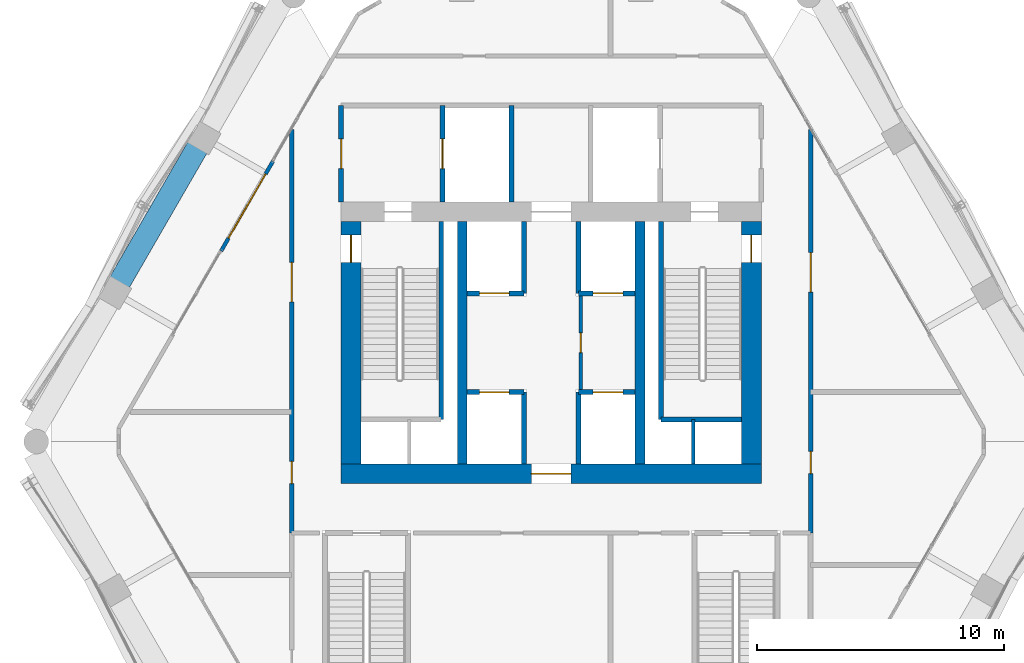
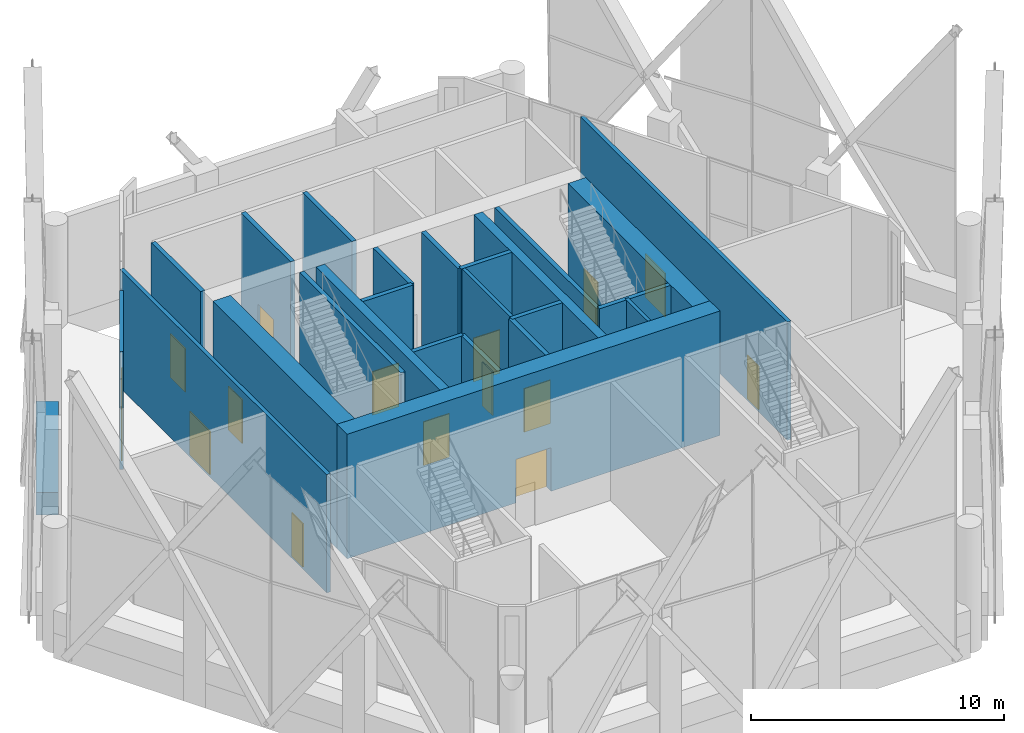
# One storey, part 36 of 43: 25 walls, 15 doors, 15 openings.
"""IFC4 building model written with IfcOpenShell, lengths in metres."""

from ifc_helpers import new_model, si_unit, direction, frame, frame_2d, origin, place, context, subcontext, project, spatial, rectangle, extrude, material, layer, layer_set, type_object, element, fill, save


model = new_model("IFC4")

# Units and contexts
model_context = context("Model", 3, precision=1e-05, world=origin(), true_north=direction((0.0, 1.0)))
body_context = subcontext(model_context, "Body", "Model", "MODEL_VIEW")
ifc_project = project(units=[si_unit("LENGTHUNIT", "METRE"), si_unit("AREAUNIT", "SQUARE_METRE"), si_unit("VOLUMEUNIT", "CUBIC_METRE"), si_unit("PLANEANGLEUNIT", "RADIAN"), si_unit("MASSUNIT", "GRAM", prefix="KILO")], contexts=[model_context])

# Site, building, storey
site_placement = place(None, origin())
site = spatial("IfcSite", under=ifc_project, at=site_placement, CompositionType="ELEMENT")
building_placement = place(site_placement, origin())
building = spatial("IfcBuilding", under=site, at=building_placement, Name="Ostrander Bayou Hotel Tower", CompositionType="ELEMENT")
storey_placement = place(building_placement, frame((0.0, 0.0, 151.0)))
storey = spatial("IfcBuildingStorey", under=building, at=storey_placement, Name="L37", CompositionType="ELEMENT", Elevation=151.0)

# Wall, opening, door
ifc_material_1 = material(Name="Concrete f'c 60 MPa", Category="concrete")
ifc_layer_1 = layer(ifc_material_1, 0.800048828125)
ifc_layer_set_1 = layer_set([ifc_layer_1], Name="CW7 core wall 800 mm f'c 60 MPa")
wall_type_1 = type_object("IfcWallType", Name="CW7 core wall 800 mm f'c 60 MPa", PredefinedType="SHEAR", material=ifc_layer_set_1)
wall_1_placement = place(storey_placement, frame((-8.5, -1.300048828125, -0.300048828125), z_axis=(0.0, 0.0, 1.0), x_axis=(1.0, 0.0, 0.0)))
wall_1 = element("IfcWall", 1, at=wall_1_placement, inside=storey, type_object=wall_type_1, Name="CW7 L37 S", PredefinedType="SHEAR", context=body_context, shape_type="SweptSolid", body=[
    extrude(rectangle(XDim=17.0, YDim=0.800048828125, at=frame_2d((8.5, 0.0))), origin(), (0.0, 0.0, 1.0), 6.0),
])
opening_1_placement = place(wall_1_placement, frame((7.699951171875, 0.0, 0.0)))
opening_1 = element("IfcOpeningElement", 2, at=opening_1_placement, cuts=wall_1, Name="Opening T37-005", PredefinedType="OPENING", context=body_context, shape_type="SweptSolid", body=[
    extrude(rectangle(XDim=1.60009765625, YDim=2.10009765625, at=frame_2d((0.800048828125, 1.050048828125))), frame((0.0, 0.39990234375, 0.0), z_axis=(0.0, -1.0, 0.0), x_axis=(1.0, 0.0, 0.0)), (0.0, 0.0, 1.0), 0.800048828125),
])
ifc_material_2 = material(Name="Timber door leaf", Category="wood")
door_type_1 = type_object("IfcDoorType", Name="D13 double door 1600 x 2100 mm, 1 hour", OperationType="SINGLE_SWING_LEFT", PredefinedType="DOOR", material=ifc_material_2)
door_1_placement = place(opening_1_placement, origin())
door_1 = element("IfcDoor", 3, at=door_1_placement, inside=storey, type_object=door_type_1, Name="dr:L37:005", OperationType="DOUBLE_DOOR_SINGLE_SWING", OverallHeight=2.10009765625, OverallWidth=1.60009765625, PredefinedType="DOOR", context=body_context, shape_type="SweptSolid", body=[
    extrude(rectangle(XDim=1.60009765625, YDim=2.10009765625, at=frame_2d((0.800048828125, 1.050048828125))), frame((0.0, 0.02490234375, 0.0), z_axis=(0.0, -1.0, 0.0), x_axis=(1.0, 0.0, 0.0)), (0.0, 0.0, 1.0), 0.050048828125),
])
fill(opening_1, door_1)

ifc_material_3 = material(Name="Concrete f'c 60 MPa", Category="concrete")
ifc_layer_2 = layer(ifc_material_3, 0.800048828125)
ifc_layer_set_2 = layer_set([ifc_layer_2], Name="CW8 core spine wall 800 mm f'c 60 MPa")
wall_type_2 = type_object("IfcWallType", Name="CW8 core spine wall 800 mm f'c 60 MPa", PredefinedType="SHEAR", material=ifc_layer_set_2)
wall_2_placement = place(storey_placement, frame((-8.10009765625, -0.89990234375, -0.300048828125), z_axis=(0.0, 0.0, 1.0), x_axis=(0.0, 1.0, 0.0)))
wall_2 = element("IfcWall", 4, at=wall_2_placement, inside=storey, type_object=wall_type_2, Name="CW8 L37 W", PredefinedType="SHEAR", context=body_context, shape_type="SweptSolid", body=[
    extrude(rectangle(XDim=9.7998046875, YDim=0.800048828125, at=frame_2d((4.89990234375, 0.0))), origin(), (0.0, 0.0, 1.0), 6.0),
])
opening_2_placement = place(wall_2_placement, frame((8.14990234375, 0.0, 0.0)))
opening_2 = element("IfcOpeningElement", 5, at=opening_2_placement, cuts=wall_2, Name="Opening T37-008", PredefinedType="OPENING", context=body_context, shape_type="SweptSolid", body=[
    extrude(rectangle(XDim=1.10009765625, YDim=2.10009765625, at=frame_2d((0.550048828125, 1.050048828125))), frame((0.0, 0.39990234375, 0.0), z_axis=(0.0, -1.0, 0.0), x_axis=(1.0, 0.0, 0.0)), (0.0, 0.0, 1.0), 0.800048828125),
])
ifc_material_4 = material(Name="Timber door leaf", Category="wood")
door_type_2 = type_object("IfcDoorType", Name="D5 stair door 1100 x 2100 mm, 90 minute", OperationType="SINGLE_SWING_LEFT", PredefinedType="DOOR", material=ifc_material_4)
door_2_placement = place(opening_2_placement, origin())
door_2 = element("IfcDoor", 6, at=door_2_placement, inside=storey, type_object=door_type_2, Name="dr:L37:008", OperationType="SINGLE_SWING_RIGHT", OverallHeight=2.10009765625, OverallWidth=1.10009765625, PredefinedType="DOOR", context=body_context, shape_type="SweptSolid", body=[
    extrude(rectangle(XDim=1.10009765625, YDim=2.10009765625, at=frame_2d((0.550048828125, 1.050048828125))), frame((0.0, 0.02490234375, 0.0), z_axis=(0.0, -1.0, 0.0), x_axis=(1.0, 0.0, 0.0)), (0.0, 0.0, 1.0), 0.050048828125),
])
fill(opening_2, door_2)

wall_3_placement = place(storey_placement, frame((8.10009765625, -0.89990234375, -0.300048828125), z_axis=(0.0, 0.0, 1.0), x_axis=(0.0, 1.0, 0.0)))
wall_3 = element("IfcWall", 7, at=wall_3_placement, inside=storey, type_object=wall_type_2, Name="CW8 L37 E", PredefinedType="SHEAR", context=body_context, shape_type="SweptSolid", body=[
    extrude(rectangle(XDim=9.7998046875, YDim=0.800048828125, at=frame_2d((4.89990234375, 0.0))), origin(), (0.0, 0.0, 1.0), 6.0),
])
opening_3_placement = place(wall_3_placement, frame((8.14990234375, 0.0, 0.0)))
opening_3 = element("IfcOpeningElement", 8, at=opening_3_placement, cuts=wall_3, Name="Opening T37-010", PredefinedType="OPENING", context=body_context, shape_type="SweptSolid", body=[
    extrude(rectangle(XDim=1.10009765625, YDim=2.10009765625, at=frame_2d((0.550048828125, 1.050048828125))), frame((0.0, 0.39990234375, 0.0), z_axis=(0.0, -1.0, 0.0), x_axis=(1.0, 0.0, 0.0)), (0.0, 0.0, 1.0), 0.800048828125),
])
door_3_placement = place(opening_3_placement, origin())
door_3 = element("IfcDoor", 9, at=door_3_placement, inside=storey, type_object=door_type_2, Name="dr:L37:010", OperationType="SINGLE_SWING_LEFT", OverallHeight=2.10009765625, OverallWidth=1.10009765625, PredefinedType="DOOR", context=body_context, shape_type="SweptSolid", body=[
    extrude(rectangle(XDim=1.10009765625, YDim=2.10009765625, at=frame_2d((0.550048828125, 1.050048828125))), frame((0.0, 0.02490234375, 0.0), z_axis=(0.0, -1.0, 0.0), x_axis=(1.0, 0.0, 0.0)), (0.0, 0.0, 1.0), 0.050048828125),
])
fill(opening_3, door_3)

# Walls
ifc_material_5 = material(Name="Concrete f'c 60 MPa", Category="concrete")
ifc_layer_3 = layer(ifc_material_5, 0.39990234375)
ifc_layer_set_3 = layer_set([ifc_layer_3], Name="CW9 core bank wall 400 mm f'c 60 MPa")
wall_type_3 = type_object("IfcWallType", Name="CW9 core bank wall 400 mm f'c 60 MPa", PredefinedType="SHEAR", material=ifc_layer_set_3)
for number, where, z_axis, x_axis, name in (
    (10, (-3.60009765625, -0.89990234375, -0.300048828125), (0.0, 0.0, 1.0), (0.0, 1.0, 0.0), "CW9 L37 CW"),
    (11, (3.60009765625, -0.89990234375, -0.300048828125), (0.0, 0.0, 1.0), (0.0, 1.0, 0.0), "CW9 L37 CE"),
):
    element("IfcWall", number, at=place(storey_placement, frame(where, z_axis=z_axis, x_axis=x_axis)), inside=storey, type_object=wall_type_3, Name=name, PredefinedType="SHEAR", context=body_context, shape_type="SweptSolid", body=[
        extrude(rectangle(XDim=9.7998046875, YDim=0.39990234375, at=frame_2d((4.89990234375, 0.0))), origin(), (0.0, 0.0, 1.0), 6.0),
    ])

# Wall, opening, door
ifc_material_6 = material(Name="Aluminium framed insulated wall", Category="aluminium")
ifc_layer_4 = layer(ifc_material_6, 0.14990234375)
ifc_layer_set_4 = layer_set([ifc_layer_4], Name="GW1 glass-line wall 150 mm")
wall_type_4 = type_object("IfcWallType", Name="GW1 glass-line wall 150 mm", PredefinedType="SOLIDWALL", material=ifc_layer_set_4)
wall_4_placement = place(storey_placement, frame((-11.25830078125, 11.349853515625, 0.0), z_axis=(0.0, 0.0, 1.0), x_axis=(-0.500002543286, -0.866023935413, 0.0)))
wall_4 = element("IfcWall", 12, at=wall_4_placement, inside=storey, type_object=wall_type_4, Name="GW1 L37 NW 2", PredefinedType="SOLIDWALL", context=body_context, shape_type="SweptSolid", body=[
    extrude(rectangle(XDim=4.2001953125, YDim=0.14990234375, at=frame_2d((2.10009765625, 0.0))), origin(), (0.0, 0.0, 1.0), 5.699951171875),
])
opening_4_placement = place(wall_4_placement, frame((0.60009765625, 0.0, 0.0)))
opening_4 = element("IfcOpeningElement", 13, at=opening_4_placement, cuts=wall_4, Name="Opening T37-800", PredefinedType="OPENING", context=body_context, shape_type="SweptSolid", body=[
    extrude(rectangle(XDim=3.0, YDim=2.39990234375, at=frame_2d((1.5, 1.199951171875))), frame((0.0, 0.074951171875, 0.0), z_axis=(0.0, -1.0, 0.0), x_axis=(1.0, 0.0, 0.0)), (0.0, 0.0, 1.0), 0.14990234375),
])
ifc_material_7 = material(Name="Aluminium and clear glass", Category="aluminium")
door_type_3 = type_object("IfcDoorType", Name="SD5 sliding glass door 3000 mm", OperationType="SLIDING_TO_LEFT", PredefinedType="DOOR", material=ifc_material_7)
door_4_placement = place(opening_4_placement, origin())
door_4 = element("IfcDoor", 14, at=door_4_placement, inside=storey, type_object=door_type_3, Name="SD5 L37 NW 2", OperationType="SLIDING_TO_RIGHT", OverallHeight=2.39990234375, OverallWidth=3.0, PredefinedType="DOOR", context=body_context, shape_type="SweptSolid", body=[
    extrude(rectangle(XDim=3.0, YDim=2.39990234375, at=frame_2d((1.5, 1.199951171875))), frame((0.0, 0.02490234375, 0.0), z_axis=(0.0, -1.0, 0.0), x_axis=(1.0, 0.0, 0.0)), (0.0, 0.0, 1.0), 0.050048828125),
])
fill(opening_4, door_4)

# Wall
ifc_material_8 = material(Name="Concrete f'c 40 MPa", Category="concrete")
ifc_layer_5 = layer(ifc_material_8, 0.89990234375)
ifc_layer_set_5 = layer_set([ifc_layer_5], Name="PA1 stone-faced parapet 900 mm")
wall_type_5 = type_object("IfcWallType", Name="PA1 stone-faced parapet 900 mm", PredefinedType="PARAPET", material=ifc_layer_set_5)
wall_5_placement = place(storey_placement, frame((-14.3173828125, 11.9013671875, 0.0), z_axis=(0.0, 0.0, 1.0), x_axis=(-0.500013351051, -0.866017695414, 0.0)))
element("IfcWall", 15, at=wall_5_placement, inside=storey, type_object=wall_type_5, Name="PA1 L37 NW-2", PredefinedType="PARAPET", context=body_context, shape_type="SweptSolid", body=[
    extrude(rectangle(XDim=6.296142578125, YDim=0.89990234375, at=frame_2d((3.14794921875, 0.0))), origin(), (0.0, 0.0, 1.0), 1.10009765625),
])

# Wall, openings, doors
ifc_material_9 = material(Name="Gypsum board partition", Category="finish")
ifc_layer_6 = layer(ifc_material_9, 0.175048828125)
ifc_layer_set_6 = layer_set([ifc_layer_6], Name="PT4 corridor wall 175 mm, 1 hour")
wall_type_6 = type_object("IfcWallType", Name="PT4 corridor wall 175 mm, 1 hour", PredefinedType="PARTITIONING", material=ifc_layer_set_6)
wall_6_placement = place(storey_placement, frame((-10.5, -3.699951171875, 0.0), z_axis=(0.0, 0.0, 1.0), x_axis=(0.0, 1.0, 0.0)))
wall_6 = element("IfcWall", 16, at=wall_6_placement, inside=storey, type_object=wall_type_6, Name="sw:L37:005", PredefinedType="PARTITIONING", context=body_context, shape_type="SweptSolid", body=[
    extrude(rectangle(XDim=16.330322265625, YDim=0.175048828125, at=frame_2d((8.1650390625, 0.0))), origin(), (0.0, 0.0, 1.0), 5.699951171875),
])
opening_5_placement = place(wall_6_placement, frame((2.0, 0.0, 0.0)))
opening_5 = element("IfcOpeningElement", 17, at=opening_5_placement, cuts=wall_6, Name="Opening T37-205", PredefinedType="OPENING", context=body_context, shape_type="SweptSolid", body=[
    extrude(rectangle(XDim=0.89990234375, YDim=2.10009765625, at=frame_2d((0.449951171875, 1.050048828125))), frame((0.0, 0.08740234375, 0.0), z_axis=(0.0, -1.0, 0.0), x_axis=(1.0, 0.0, 0.0)), (0.0, 0.0, 1.0), 0.175048828125),
])
opening_6_placement = place(wall_6_placement, frame((9.35009765625, 0.0, 0.0)))
opening_6 = element("IfcOpeningElement", 18, at=opening_6_placement, cuts=wall_6, Name="Opening T37-206", PredefinedType="OPENING", context=body_context, shape_type="SweptSolid", body=[
    extrude(rectangle(XDim=1.60009765625, YDim=2.10009765625, at=frame_2d((0.800048828125, 1.050048828125))), frame((0.0, 0.08740234375, 0.0), z_axis=(0.0, -1.0, 0.0), x_axis=(1.0, 0.0, 0.0)), (0.0, 0.0, 1.0), 0.175048828125),
])
door_5_placement = place(opening_6_placement, origin())
door_5 = element("IfcDoor", 19, at=door_5_placement, inside=storey, type_object=door_type_1, Name="dr:L37:206", OperationType="DOUBLE_DOOR_SINGLE_SWING", OverallHeight=2.10009765625, OverallWidth=1.60009765625, PredefinedType="DOOR", context=body_context, shape_type="SweptSolid", body=[
    extrude(rectangle(XDim=1.60009765625, YDim=2.10009765625, at=frame_2d((0.800048828125, 1.050048828125))), frame((0.0, 0.02490234375, 0.0), z_axis=(0.0, -1.0, 0.0), x_axis=(1.0, 0.0, 0.0)), (0.0, 0.0, 1.0), 0.050048828125),
])
fill(opening_6, door_5)
ifc_material_10 = material(Name="Timber door leaf", Category="wood")
door_type_4 = type_object("IfcDoorType", Name="D8 room door 900 x 2100 mm", OperationType="SINGLE_SWING_LEFT", PredefinedType="DOOR", material=ifc_material_10)
door_6_placement = place(opening_5_placement, origin())
door_6 = element("IfcDoor", 20, at=door_6_placement, inside=storey, type_object=door_type_4, Name="dr:L37:205", OperationType="SINGLE_SWING_LEFT", OverallHeight=2.10009765625, OverallWidth=0.89990234375, PredefinedType="DOOR", context=body_context, shape_type="SweptSolid", body=[
    extrude(rectangle(XDim=0.89990234375, YDim=2.10009765625, at=frame_2d((0.449951171875, 1.050048828125))), frame((0.0, 0.02490234375, 0.0), z_axis=(0.0, -1.0, 0.0), x_axis=(1.0, 0.0, 0.0)), (0.0, 0.0, 1.0), 0.050048828125),
])
fill(opening_5, door_6)

wall_7_placement = place(storey_placement, frame((10.5, -3.699951171875, 0.0), z_axis=(0.0, 0.0, 1.0), x_axis=(0.0, 1.0, 0.0)))
wall_7 = element("IfcWall", 21, at=wall_7_placement, inside=storey, type_object=wall_type_6, Name="sw:L37:006", PredefinedType="PARTITIONING", context=body_context, shape_type="SweptSolid", body=[
    extrude(rectangle(XDim=16.330322265625, YDim=0.175048828125, at=frame_2d((8.1650390625, 0.0))), origin(), (0.0, 0.0, 1.0), 5.699951171875),
])
opening_7_placement = place(wall_7_placement, frame((2.39990234375, 0.0, 0.0)))
opening_7 = element("IfcOpeningElement", 22, at=opening_7_placement, cuts=wall_7, Name="Opening T37-208", PredefinedType="OPENING", context=body_context, shape_type="SweptSolid", body=[
    extrude(rectangle(XDim=0.89990234375, YDim=2.10009765625, at=frame_2d((0.449951171875, 1.050048828125))), frame((0.0, 0.08740234375, 0.0), z_axis=(0.0, -1.0, 0.0), x_axis=(1.0, 0.0, 0.0)), (0.0, 0.0, 1.0), 0.175048828125),
])
opening_8_placement = place(wall_7_placement, frame((9.75, 0.0, 0.0)))
opening_8 = element("IfcOpeningElement", 23, at=opening_8_placement, cuts=wall_7, Name="Opening T37-209", PredefinedType="OPENING", context=body_context, shape_type="SweptSolid", body=[
    extrude(rectangle(XDim=1.60009765625, YDim=2.10009765625, at=frame_2d((0.800048828125, 1.050048828125))), frame((0.0, 0.08740234375, 0.0), z_axis=(0.0, -1.0, 0.0), x_axis=(1.0, 0.0, 0.0)), (0.0, 0.0, 1.0), 0.175048828125),
])
door_7_placement = place(opening_8_placement, origin())
door_7 = element("IfcDoor", 24, at=door_7_placement, inside=storey, type_object=door_type_1, Name="dr:L37:209", OperationType="DOUBLE_DOOR_SINGLE_SWING", OverallHeight=2.10009765625, OverallWidth=1.60009765625, PredefinedType="DOOR", context=body_context, shape_type="SweptSolid", body=[
    extrude(rectangle(XDim=1.60009765625, YDim=2.10009765625, at=frame_2d((0.800048828125, 1.050048828125))), frame((0.0, 0.02490234375, 0.0), z_axis=(0.0, -1.0, 0.0), x_axis=(1.0, 0.0, 0.0)), (0.0, 0.0, 1.0), 0.050048828125),
])
fill(opening_8, door_7)
door_8_placement = place(opening_7_placement, origin())
door_8 = element("IfcDoor", 25, at=door_8_placement, inside=storey, type_object=door_type_4, Name="dr:L37:208", OperationType="SINGLE_SWING_RIGHT", OverallHeight=2.10009765625, OverallWidth=0.89990234375, PredefinedType="DOOR", context=body_context, shape_type="SweptSolid", body=[
    extrude(rectangle(XDim=0.89990234375, YDim=2.10009765625, at=frame_2d((0.449951171875, 1.050048828125))), frame((0.0, 0.02490234375, 0.0), z_axis=(0.0, -1.0, 0.0), x_axis=(1.0, 0.0, 0.0)), (0.0, 0.0, 1.0), 0.050048828125),
])
fill(opening_7, door_8)

# Wall, opening, door
ifc_material_11 = material(Name="Masonry block", Category="masonry")
ifc_layer_7 = layer(ifc_material_11, 0.199951171875)
ifc_layer_set_7 = layer_set([ifc_layer_7], Name="PT5 stair enclosure wall 200 mm masonry, 2 hour")
wall_type_7 = type_object("IfcWallType", Name="PT5 stair enclosure wall 200 mm masonry, 2 hour", PredefinedType="PARTITIONING", material=ifc_layer_set_7)
wall_8_placement = place(storey_placement, frame((-8.5, 9.699951171875, 0.0), z_axis=(0.0, 0.0, 1.0), x_axis=(0.0, 1.0, 0.0)))
wall_8 = element("IfcWall", 26, at=wall_8_placement, inside=storey, type_object=wall_type_7, Name="cs:L37:024", PredefinedType="PARTITIONING", context=body_context, shape_type="SweptSolid", body=[
    extrude(rectangle(XDim=3.900146484375, YDim=0.199951171875, at=frame_2d((1.9501953125, 0.0))), origin(), (0.0, 0.0, 1.0), 5.699951171875),
])
opening_9_placement = place(wall_8_placement, frame((1.35009765625, 0.0, 0.0)))
opening_9 = element("IfcOpeningElement", 27, at=opening_9_placement, cuts=wall_8, Name="Opening T37-014", PredefinedType="OPENING", context=body_context, shape_type="SweptSolid", body=[
    extrude(rectangle(XDim=1.199951171875, YDim=2.10009765625, at=frame_2d((0.60009765625, 1.050048828125))), frame((0.0, 0.10009765625, 0.0), z_axis=(0.0, -1.0, 0.0), x_axis=(1.0, 0.0, 0.0)), (0.0, 0.0, 1.0), 0.199951171875),
])
ifc_material_12 = material(Name="Timber door leaf", Category="wood")
door_type_5 = type_object("IfcDoorType", Name="D7 lobby door 1200 x 2100 mm, 1 hour", OperationType="SINGLE_SWING_LEFT", PredefinedType="DOOR", material=ifc_material_12)
door_9_placement = place(opening_9_placement, origin())
door_9 = element("IfcDoor", 28, at=door_9_placement, inside=storey, type_object=door_type_5, Name="dr:L37:014", OperationType="SINGLE_SWING_LEFT", OverallHeight=2.10009765625, OverallWidth=1.199951171875, PredefinedType="DOOR", context=body_context, shape_type="SweptSolid", body=[
    extrude(rectangle(XDim=1.199951171875, YDim=2.10009765625, at=frame_2d((0.60009765625, 1.050048828125))), frame((0.0, 0.02490234375, 0.0), z_axis=(0.0, -1.0, 0.0), x_axis=(1.0, 0.0, 0.0)), (0.0, 0.0, 1.0), 0.050048828125),
])
fill(opening_9, door_9)

wall_9_placement = place(storey_placement, frame((-4.39990234375, 9.699951171875, 0.0), z_axis=(0.0, 0.0, 1.0), x_axis=(0.0, 1.0, 0.0)))
wall_9 = element("IfcWall", 29, at=wall_9_placement, inside=storey, type_object=wall_type_7, Name="cs:L37:026", PredefinedType="PARTITIONING", context=body_context, shape_type="SweptSolid", body=[
    extrude(rectangle(XDim=3.900146484375, YDim=0.199951171875, at=frame_2d((1.9501953125, 0.0))), origin(), (0.0, 0.0, 1.0), 5.699951171875),
])
opening_10_placement = place(wall_9_placement, frame((1.35009765625, 0.0, 0.0)))
opening_10 = element("IfcOpeningElement", 30, at=opening_10_placement, cuts=wall_9, Name="Opening T37-013", PredefinedType="OPENING", context=body_context, shape_type="SweptSolid", body=[
    extrude(rectangle(XDim=1.199951171875, YDim=2.10009765625, at=frame_2d((0.60009765625, 1.050048828125))), frame((0.0, 0.10009765625, 0.0), z_axis=(0.0, -1.0, 0.0), x_axis=(1.0, 0.0, 0.0)), (0.0, 0.0, 1.0), 0.199951171875),
])
ifc_material_13 = material(Name="Stainless steel sliding door", Category="steel")
door_type_6 = type_object("IfcDoorType", Name="LD1 lift landing door 1200 x 2100 mm", OperationType="SINGLE_SWING_LEFT", PredefinedType="DOOR", material=ifc_material_13)
door_10_placement = place(opening_10_placement, origin())
door_10 = element("IfcDoor", 31, at=door_10_placement, inside=storey, type_object=door_type_6, Name="dr:L37:013", OperationType="SLIDING_TO_LEFT", OverallHeight=2.10009765625, OverallWidth=1.199951171875, PredefinedType="DOOR", context=body_context, shape_type="SweptSolid", body=[
    extrude(rectangle(XDim=1.199951171875, YDim=2.10009765625, at=frame_2d((0.60009765625, 1.050048828125))), frame((0.0, 0.02490234375, 0.0), z_axis=(0.0, -1.0, 0.0), x_axis=(1.0, 0.0, 0.0)), (0.0, 0.0, 1.0), 0.050048828125),
])
fill(opening_10, door_10)

ifc_material_14 = material(Name="Masonry block", Category="masonry")
ifc_layer_8 = layer(ifc_material_14, 0.199951171875)
ifc_layer_set_8 = layer_set([ifc_layer_8], Name="PT6 lift shaft wall 200 mm masonry, 2 hour")
wall_type_8 = type_object("IfcWallType", Name="PT6 lift shaft wall 200 mm masonry, 2 hour", PredefinedType="PARTITIONING", material=ifc_layer_set_8)
wall_10_placement = place(storey_placement, frame((-3.39990234375, 2.0, 0.0), z_axis=(0.0, 0.0, 1.0), x_axis=(1.0, 0.0, 0.0)))
wall_10 = element("IfcWall", 32, at=wall_10_placement, inside=storey, type_object=wall_type_8, Name="cs:L37:001", PredefinedType="PARTITIONING", context=body_context, shape_type="SweptSolid", body=[
    extrude(rectangle(XDim=2.2998046875, YDim=0.199951171875, at=frame_2d((1.14990234375, 0.0))), origin(), (0.0, 0.0, 1.0), 5.699951171875),
])
opening_11_placement = place(wall_10_placement, frame((0.5, 0.0, 0.0)))
opening_11 = element("IfcOpeningElement", 33, at=opening_11_placement, cuts=wall_10, Name="Opening T37-001", PredefinedType="OPENING", context=body_context, shape_type="SweptSolid", body=[
    extrude(rectangle(XDim=1.199951171875, YDim=2.10009765625, at=frame_2d((0.60009765625, 1.050048828125))), frame((0.0, 0.10009765625, 0.0), z_axis=(0.0, -1.0, 0.0), x_axis=(1.0, 0.0, 0.0)), (0.0, 0.0, 1.0), 0.199951171875),
])
door_11_placement = place(opening_11_placement, origin())
door_11 = element("IfcDoor", 34, at=door_11_placement, inside=storey, type_object=door_type_6, Name="dr:L37:001", OperationType="SLIDING_TO_LEFT", OverallHeight=2.10009765625, OverallWidth=1.199951171875, PredefinedType="DOOR", context=body_context, shape_type="SweptSolid", body=[
    extrude(rectangle(XDim=1.199951171875, YDim=2.10009765625, at=frame_2d((0.60009765625, 1.050048828125))), frame((0.0, 0.02490234375, 0.0), z_axis=(0.0, -1.0, 0.0), x_axis=(1.0, 0.0, 0.0)), (0.0, 0.0, 1.0), 0.050048828125),
])
fill(opening_11, door_11)

wall_11_placement = place(storey_placement, frame((-3.39990234375, 6.0, 0.0), z_axis=(0.0, 0.0, 1.0), x_axis=(1.0, 0.0, 0.0)))
wall_11 = element("IfcWall", 35, at=wall_11_placement, inside=storey, type_object=wall_type_8, Name="cs:L37:002", PredefinedType="PARTITIONING", context=body_context, shape_type="SweptSolid", body=[
    extrude(rectangle(XDim=2.2998046875, YDim=0.199951171875, at=frame_2d((1.14990234375, 0.0))), origin(), (0.0, 0.0, 1.0), 5.699951171875),
])
opening_12_placement = place(wall_11_placement, frame((0.5, 0.0, 0.0)))
opening_12 = element("IfcOpeningElement", 36, at=opening_12_placement, cuts=wall_11, Name="Opening T37-003", PredefinedType="OPENING", context=body_context, shape_type="SweptSolid", body=[
    extrude(rectangle(XDim=1.199951171875, YDim=2.10009765625, at=frame_2d((0.60009765625, 1.050048828125))), frame((0.0, 0.10009765625, 0.0), z_axis=(0.0, -1.0, 0.0), x_axis=(1.0, 0.0, 0.0)), (0.0, 0.0, 1.0), 0.199951171875),
])
door_12_placement = place(opening_12_placement, origin())
door_12 = element("IfcDoor", 37, at=door_12_placement, inside=storey, type_object=door_type_6, Name="dr:L37:003", OperationType="SLIDING_TO_LEFT", OverallHeight=2.10009765625, OverallWidth=1.199951171875, PredefinedType="DOOR", context=body_context, shape_type="SweptSolid", body=[
    extrude(rectangle(XDim=1.199951171875, YDim=2.10009765625, at=frame_2d((0.60009765625, 1.050048828125))), frame((0.0, 0.02490234375, 0.0), z_axis=(0.0, -1.0, 0.0), x_axis=(1.0, 0.0, 0.0)), (0.0, 0.0, 1.0), 0.050048828125),
])
fill(opening_12, door_12)

wall_12_placement = place(storey_placement, frame((1.10009765625, 2.0, 0.0), z_axis=(0.0, 0.0, 1.0), x_axis=(1.0, 0.0, 0.0)))
wall_12 = element("IfcWall", 38, at=wall_12_placement, inside=storey, type_object=wall_type_8, Name="cs:L37:003", PredefinedType="PARTITIONING", context=body_context, shape_type="SweptSolid", body=[
    extrude(rectangle(XDim=2.2998046875, YDim=0.199951171875, at=frame_2d((1.14990234375, 0.0))), origin(), (0.0, 0.0, 1.0), 5.699951171875),
])
opening_13_placement = place(wall_12_placement, frame((0.60009765625, 0.0, 0.0)))
opening_13 = element("IfcOpeningElement", 39, at=opening_13_placement, cuts=wall_12, Name="Opening T37-002", PredefinedType="OPENING", context=body_context, shape_type="SweptSolid", body=[
    extrude(rectangle(XDim=1.199951171875, YDim=2.10009765625, at=frame_2d((0.60009765625, 1.050048828125))), frame((0.0, 0.10009765625, 0.0), z_axis=(0.0, -1.0, 0.0), x_axis=(1.0, 0.0, 0.0)), (0.0, 0.0, 1.0), 0.199951171875),
])
door_13_placement = place(opening_13_placement, origin())
door_13 = element("IfcDoor", 40, at=door_13_placement, inside=storey, type_object=door_type_6, Name="dr:L37:002", OperationType="SLIDING_TO_LEFT", OverallHeight=2.10009765625, OverallWidth=1.199951171875, PredefinedType="DOOR", context=body_context, shape_type="SweptSolid", body=[
    extrude(rectangle(XDim=1.199951171875, YDim=2.10009765625, at=frame_2d((0.60009765625, 1.050048828125))), frame((0.0, 0.02490234375, 0.0), z_axis=(0.0, -1.0, 0.0), x_axis=(1.0, 0.0, 0.0)), (0.0, 0.0, 1.0), 0.050048828125),
])
fill(opening_13, door_13)

wall_13_placement = place(storey_placement, frame((1.10009765625, 6.0, 0.0), z_axis=(0.0, 0.0, 1.0), x_axis=(1.0, 0.0, 0.0)))
wall_13 = element("IfcWall", 41, at=wall_13_placement, inside=storey, type_object=wall_type_8, Name="cs:L37:004", PredefinedType="PARTITIONING", context=body_context, shape_type="SweptSolid", body=[
    extrude(rectangle(XDim=2.2998046875, YDim=0.199951171875, at=frame_2d((1.14990234375, 0.0))), origin(), (0.0, 0.0, 1.0), 5.699951171875),
])
opening_14_placement = place(wall_13_placement, frame((0.60009765625, 0.0, 0.0)))
opening_14 = element("IfcOpeningElement", 42, at=opening_14_placement, cuts=wall_13, Name="Opening T37-004", PredefinedType="OPENING", context=body_context, shape_type="SweptSolid", body=[
    extrude(rectangle(XDim=1.199951171875, YDim=2.10009765625, at=frame_2d((0.60009765625, 1.050048828125))), frame((0.0, 0.10009765625, 0.0), z_axis=(0.0, -1.0, 0.0), x_axis=(1.0, 0.0, 0.0)), (0.0, 0.0, 1.0), 0.199951171875),
])
door_14_placement = place(opening_14_placement, origin())
door_14 = element("IfcDoor", 43, at=door_14_placement, inside=storey, type_object=door_type_6, Name="dr:L37:004", OperationType="SLIDING_TO_LEFT", OverallHeight=2.10009765625, OverallWidth=1.199951171875, PredefinedType="DOOR", context=body_context, shape_type="SweptSolid", body=[
    extrude(rectangle(XDim=1.199951171875, YDim=2.10009765625, at=frame_2d((0.60009765625, 1.050048828125))), frame((0.0, 0.02490234375, 0.0), z_axis=(0.0, -1.0, 0.0), x_axis=(1.0, 0.0, 0.0)), (0.0, 0.0, 1.0), 0.050048828125),
])
fill(opening_14, door_14)

# Walls
for number, where, z_axis, x_axis, name in (
    (44, (-1.10009765625, -0.89990234375, 0.0), (0.0, 0.0, 1.0), (0.0, 1.0, 0.0), "cs:L37:005"),
    (45, (1.10009765625, -0.89990234375, 0.0), (0.0, 0.0, 1.0), (0.0, 1.0, 0.0), "cs:L37:006"),
    (46, (-1.10009765625, 6.0, 0.0), (0.0, 0.0, 1.0), (0.0, 1.0, 0.0), "cs:L37:007"),
    (47, (1.10009765625, 6.0, 0.0), (0.0, 0.0, 1.0), (0.0, 1.0, 0.0), "cs:L37:008"),
):
    element("IfcWall", number, at=place(storey_placement, frame(where, z_axis=z_axis, x_axis=x_axis)), inside=storey, type_object=wall_type_8, Name=name, PredefinedType="PARTITIONING", context=body_context, shape_type="SweptSolid", body=[
        extrude(rectangle(XDim=2.89990234375, YDim=0.199951171875, at=frame_2d((1.449951171875, 0.0))), origin(), (0.0, 0.0, 1.0), 5.699951171875),
    ])
wall_14_placement = place(storey_placement, frame((-1.60009765625, 9.699951171875, 0.0), z_axis=(0.0, 0.0, 1.0), x_axis=(0.0, 1.0, 0.0)))
element("IfcWall", 48, at=wall_14_placement, inside=storey, type_object=wall_type_8, Name="cs:L37:028", PredefinedType="PARTITIONING", context=body_context, shape_type="SweptSolid", body=[
    extrude(rectangle(XDim=3.900146484375, YDim=0.199951171875, at=frame_2d((1.9501953125, 0.0))), origin(), (0.0, 0.0, 1.0), 5.699951171875),
])
ifc_material_15 = material(Name="Gypsum board partition", Category="finish")
ifc_layer_9 = layer(ifc_material_15, 0.14990234375)
ifc_layer_set_9 = layer_set([ifc_layer_9], Name="PT7 riser wall 150 mm, 2 hour")
wall_type_9 = type_object("IfcWallType", Name="PT7 riser wall 150 mm, 2 hour", PredefinedType="PARTITIONING", material=ifc_layer_set_9)
wall_15_placement = place(storey_placement, frame((5.75, -0.89990234375, 0.0), z_axis=(0.0, 0.0, 1.0), x_axis=(0.0, 1.0, 0.0)))
element("IfcWall", 49, at=wall_15_placement, inside=storey, type_object=wall_type_9, Name="cs:L37:014", PredefinedType="PARTITIONING", context=body_context, shape_type="SweptSolid", body=[
    extrude(rectangle(XDim=1.7998046875, YDim=0.14990234375, at=frame_2d((0.89990234375, 0.0))), origin(), (0.0, 0.0, 1.0), 5.699951171875),
])

# Wall, opening, door
wall_16_placement = place(storey_placement, frame((1.199951171875, 2.10009765625, 0.0), z_axis=(0.0, 0.0, 1.0), x_axis=(0.0, 1.0, 0.0)))
wall_16 = element("IfcWall", 50, at=wall_16_placement, inside=storey, type_object=wall_type_9, Name="cs:L37:030", PredefinedType="PARTITIONING", context=body_context, shape_type="SweptSolid", body=[
    extrude(rectangle(XDim=3.7998046875, YDim=0.14990234375, at=frame_2d((1.89990234375, 0.0))), origin(), (0.0, 0.0, 1.0), 5.699951171875),
])
opening_15_placement = place(wall_16_placement, frame((1.5, 0.0, 0.0)))
opening_15 = element("IfcOpeningElement", 51, at=opening_15_placement, cuts=wall_16, Name="Opening T37-017", PredefinedType="OPENING", context=body_context, shape_type="SweptSolid", body=[
    extrude(rectangle(XDim=0.800048828125, YDim=2.10009765625, at=frame_2d((0.39990234375, 1.050048828125))), frame((0.0, 0.074951171875, 0.0), z_axis=(0.0, -1.0, 0.0), x_axis=(1.0, 0.0, 0.0)), (0.0, 0.0, 1.0), 0.14990234375),
])
ifc_material_16 = material(Name="Timber door leaf", Category="wood")
door_type_7 = type_object("IfcDoorType", Name="D6 riser door 800 x 2100 mm, 90 minute", OperationType="SINGLE_SWING_LEFT", PredefinedType="DOOR", material=ifc_material_16)
door_15_placement = place(opening_15_placement, origin())
door_15 = element("IfcDoor", 52, at=door_15_placement, inside=storey, type_object=door_type_7, Name="dr:L37:017", OperationType="SINGLE_SWING_RIGHT", OverallHeight=2.10009765625, OverallWidth=0.800048828125, PredefinedType="DOOR", context=body_context, shape_type="SweptSolid", body=[
    extrude(rectangle(XDim=0.800048828125, YDim=2.10009765625, at=frame_2d((0.39990234375, 1.050048828125))), frame((0.0, 0.02490234375, 0.0), z_axis=(0.0, -1.0, 0.0), x_axis=(1.0, 0.0, 0.0)), (0.0, 0.0, 1.0), 0.050048828125),
])
fill(opening_15, door_15)

# Walls
ifc_material_17 = material(Name="Concrete f'c 45 MPa", Category="concrete")
ifc_layer_10 = layer(ifc_material_17, 0.199951171875)
ifc_layer_set_10 = layer_set([ifc_layer_10], Name="SW5 stair enclosure wall 200 mm f'c 45 MPa")
wall_type_10 = type_object("IfcWallType", Name="SW5 stair enclosure wall 200 mm f'c 45 MPa", PredefinedType="SOLIDWALL", material=ifc_layer_set_10)
for number, where, z_axis, x_axis, name in (
    (53, (-4.449951171875, 0.89990234375, -0.300048828125), (0.0, 0.0, 1.0), (0.0, 1.0, 0.0), "cs:L37:009"),
    (54, (4.449951171875, 0.89990234375, -0.300048828125), (0.0, 0.0, 1.0), (0.0, 1.0, 0.0), "cs:L37:012"),
):
    element("IfcWall", number, at=place(storey_placement, frame(where, z_axis=z_axis, x_axis=x_axis)), inside=storey, type_object=wall_type_10, Name=name, PredefinedType="SOLIDWALL", context=body_context, shape_type="SweptSolid", body=[
        extrude(rectangle(XDim=8.0, YDim=0.199951171875, at=frame_2d((4.0, 0.0))), origin(), (0.0, 0.0, 1.0), 6.0),
    ])
wall_17_placement = place(storey_placement, frame((4.449951171875, 0.89990234375, -0.300048828125), z_axis=(0.0, 0.0, 1.0), x_axis=(1.0, 0.0, 0.0)))
element("IfcWall", 55, at=wall_17_placement, inside=storey, type_object=wall_type_10, Name="cs:L37:013", PredefinedType="SOLIDWALL", context=body_context, shape_type="SweptSolid", body=[
    extrude(rectangle(XDim=3.25, YDim=0.199951171875, at=frame_2d((1.625, 0.0))), origin(), (0.0, 0.0, 1.0), 6.0),
])

save(model, "model.ifc")
